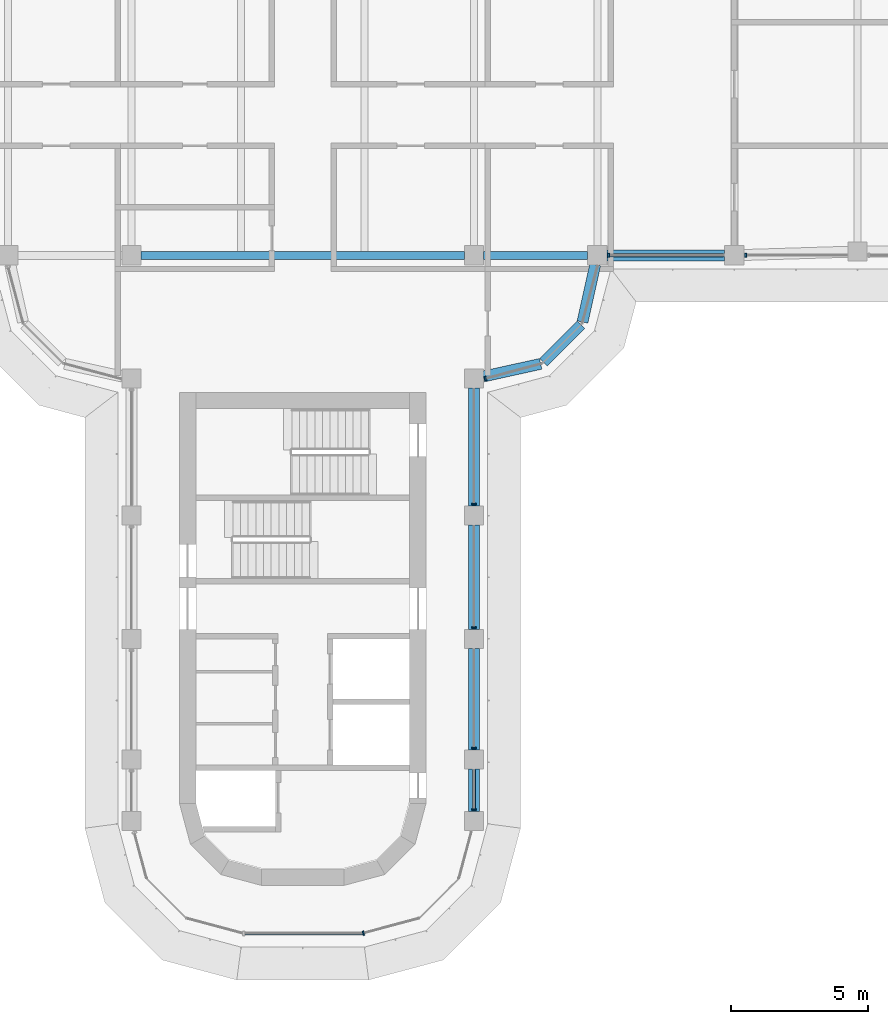
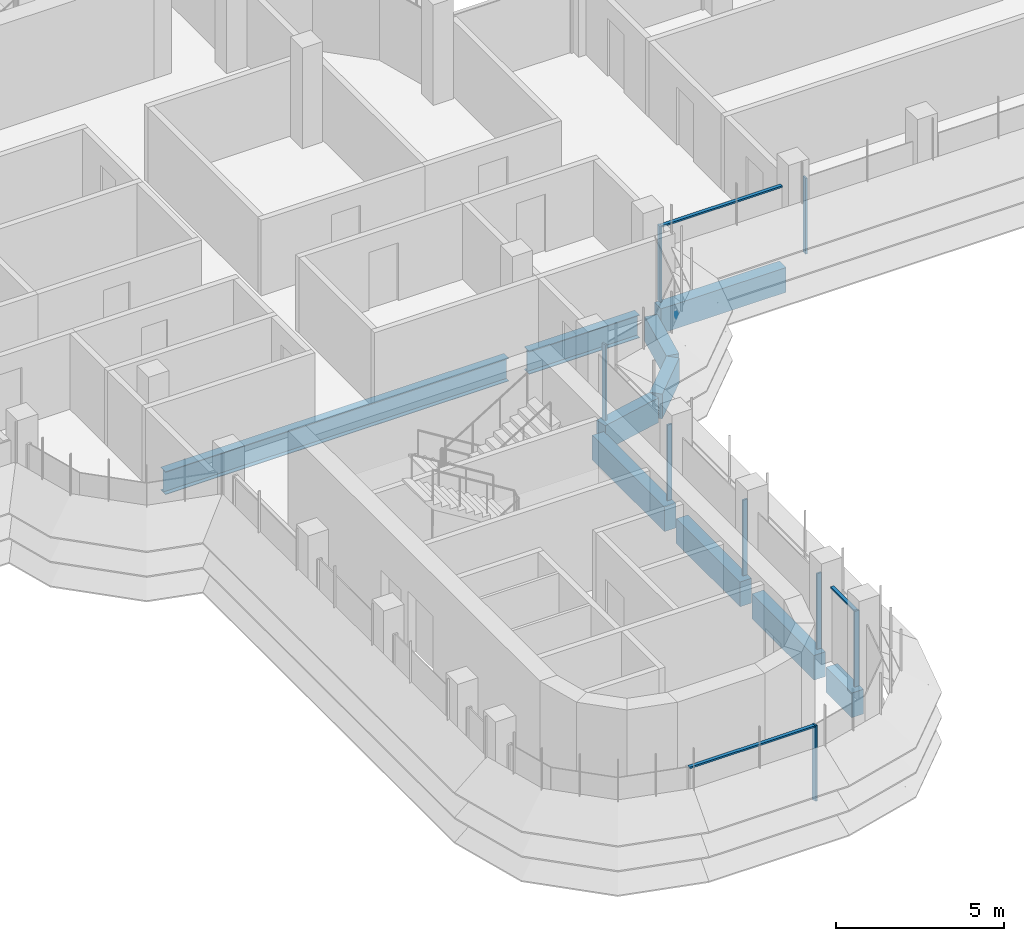
# One storey, part 4 of 19: 11 members, 10 beams, 5 elements without a shape of their own.
"""IFC4 building model written with IfcOpenShell, lengths in metres."""

from ifc_helpers import new_model, si_unit, direction, frame, origin, origin_2d, place, context, subcontext, project, spatial, polyline, rectangle, i_section, outline, extrude, source, transform, mapped, material, material_profile, profile_set, type_object, element, aggregate, save


model = new_model("IFC4")

# Units and contexts
model_context = context("Model", 3, precision=1e-05, world=origin(), true_north=direction((0.0, 1.0)))
body_context = subcontext(model_context, "Body", "Model", "MODEL_VIEW")
ifc_project = project(units=[si_unit("LENGTHUNIT", "METRE"), si_unit("AREAUNIT", "SQUARE_METRE"), si_unit("VOLUMEUNIT", "CUBIC_METRE"), si_unit("PLANEANGLEUNIT", "RADIAN"), si_unit("MASSUNIT", "GRAM", prefix="KILO")], contexts=[model_context])

# Site, building, storey
site_placement = place(None, origin())
site = spatial("IfcSite", under=ifc_project, at=site_placement, CompositionType="ELEMENT")
building_placement = place(site_placement, origin())
building = spatial("IfcBuilding", under=site, at=building_placement, Name="Zarbagh Exchange Tower", CompositionType="ELEMENT")
storey_placement = place(building_placement, frame((0.0, 0.0, 199.199951171875)))
storey = spatial("IfcBuildingStorey", under=building, at=storey_placement, Name="L48", CompositionType="ELEMENT", Elevation=199.199951171875)

# Beams
ifc_material_1 = material(Name="Steel ASTM A992 Gr 50", Category="steel")
ifc_material_profile_1 = material_profile(ifc_material_1, i_section(OverallWidth=0.2919921875, OverallDepth=0.835693359375, WebThickness=0.013916015625, FlangeThickness=0.018798828125, at=origin_2d()), Name="W33X118")
ifc_profile_set_1 = profile_set([ifc_material_profile_1], Name="Steel ASTM A992 Gr 50")
beam_type_1 = type_object("IfcBeamType", Name="Floor girder W33X118", PredefinedType="BEAM", material=ifc_profile_set_1)
beam_1_placement = place(storey_placement, frame((-5.89990234375, -6.25, -0.56787109375), z_axis=(1.0, 0.0, 0.0), x_axis=(0.0, 1.0, 0.0)))
element("IfcBeam", 1, at=beam_1_placement, inside=storey, type_object=beam_type_1, Name="Steel girder", PredefinedType="BEAM", context=body_context, shape_type="SweptSolid", body=[
    extrude(i_section(OverallWidth=0.2919921875, OverallDepth=0.835693359375, WebThickness=0.013916015625, FlangeThickness=0.018798828125, at=origin_2d()), origin(), (0.0, 0.0, 1.0), 11.7998046875),
])
beam_2_placement = place(storey_placement, frame((6.60009765625, -6.25, -0.56787109375), z_axis=(1.0, 0.0, 0.0), x_axis=(0.0, 1.0, 0.0)))
element("IfcBeam", 2, at=beam_2_placement, inside=storey, type_object=beam_type_1, Name="Steel girder", PredefinedType="BEAM", context=body_context, shape_type="SweptSolid", body=[
    extrude(i_section(OverallWidth=0.2919921875, OverallDepth=0.835693359375, WebThickness=0.013916015625, FlangeThickness=0.018798828125, at=origin_2d()), origin(), (0.0, 0.0, 1.0), 3.7998046875),
])
ifc_material_2 = material(Name="Concrete C50/60", Category="concrete")
ifc_material_profile_2 = material_profile(ifc_material_2, rectangle(XDim=0.39990234375, YDim=0.89990234375, at=origin_2d()), Name="RC spandrel beam 400 x 900 C50/60")
ifc_profile_set_2 = profile_set([ifc_material_profile_2], Name="Concrete C50/60")
beam_type_2 = type_object("IfcBeamType", Name="RC spandrel beam 400 x 900 C50/60", PredefinedType="SPANDREL", material=ifc_profile_set_2)
beam_3_placement = place(storey_placement, frame((15.39990234375, -6.25, -0.599853515625), z_axis=(-1.0, 0.0, 0.0), x_axis=(0.0, -1.0, 0.0)))
element("IfcBeam", 3, at=beam_3_placement, inside=storey, type_object=beam_type_2, Name="RC spandrel beam", PredefinedType="SPANDREL", context=body_context, shape_type="SweptSolid", body=[
    extrude(rectangle(XDim=0.39990234375, YDim=0.89990234375, at=origin_2d()), origin(), (0.0, 0.0, 1.0), 4.2998046875),
])
beam_4_placement = place(storey_placement, frame((10.67431640625, -6.591796875, -0.599853515625), z_axis=(-0.216013551096, -0.97639036545, 0.0), x_axis=(0.97639036545, -0.216013551096, 0.0)))
element("IfcBeam", 4, at=beam_4_placement, inside=storey, type_object=beam_type_2, Name="RC spandrel beam", PredefinedType="SPANDREL", context=body_context, shape_type="SweptSolid", body=[
    extrude(rectangle(XDim=0.39990234375, YDim=0.89990234375, at=origin_2d()), origin(), (0.0, 0.0, 1.0), 2.142822265625),
])
beam_5_placement = place(storey_placement, frame((10.15771484375, -8.782470703125, -0.599853515625), z_axis=(-0.707106781187, -0.707106781187, 0.0), x_axis=(0.707106781187, -0.707106781187, 0.0)))
element("IfcBeam", 5, at=beam_5_placement, inside=storey, type_object=beam_type_2, Name="RC spandrel beam", PredefinedType="SPANDREL", context=body_context, shape_type="SweptSolid", body=[
    extrude(rectangle(XDim=0.39990234375, YDim=0.89990234375, at=origin_2d()), origin(), (0.0, 0.0, 1.0), 1.94482421875),
])
beam_6_placement = place(storey_placement, frame((8.68408203125, -10.21142578125, -0.599853515625), z_axis=(-0.97639036545, -0.216013551096, 0.0), x_axis=(0.216013551096, -0.97639036545, 0.0)))
element("IfcBeam", 6, at=beam_6_placement, inside=storey, type_object=beam_type_2, Name="RC spandrel beam", PredefinedType="SPANDREL", context=body_context, shape_type="SweptSolid", body=[
    extrude(rectangle(XDim=0.39990234375, YDim=0.89990234375, at=origin_2d()), origin(), (0.0, 0.0, 1.0), 2.142822265625),
])
beam_7_placement = place(storey_placement, frame((6.25, -11.10009765625, -0.599853515625), z_axis=(0.0, -1.0, 0.0), x_axis=(1.0, 0.0, 0.0)))
element("IfcBeam", 7, at=beam_7_placement, inside=storey, type_object=beam_type_2, Name="RC spandrel beam", PredefinedType="SPANDREL", context=body_context, shape_type="SweptSolid", body=[
    extrude(rectangle(XDim=0.39990234375, YDim=0.89990234375, at=origin_2d()), origin(), (0.0, 0.0, 1.0), 4.2998046875),
])
beam_8_placement = place(storey_placement, frame((6.25, -16.10009765625, -0.599853515625), z_axis=(0.0, -1.0, 0.0), x_axis=(1.0, 0.0, 0.0)))
element("IfcBeam", 8, at=beam_8_placement, inside=storey, type_object=beam_type_2, Name="RC spandrel beam", PredefinedType="SPANDREL", context=body_context, shape_type="SweptSolid", body=[
    extrude(rectangle(XDim=0.39990234375, YDim=0.89990234375, at=origin_2d()), origin(), (0.0, 0.0, 1.0), 3.7998046875),
])
beam_9_placement = place(storey_placement, frame((6.25, -20.60009765625, -0.599853515625), z_axis=(0.0, -1.0, 0.0), x_axis=(1.0, 0.0, 0.0)))
element("IfcBeam", 9, at=beam_9_placement, inside=storey, type_object=beam_type_2, Name="RC spandrel beam", PredefinedType="SPANDREL", context=body_context, shape_type="SweptSolid", body=[
    extrude(rectangle(XDim=0.39990234375, YDim=0.89990234375, at=origin_2d()), origin(), (0.0, 0.0, 1.0), 3.699951171875),
])
beam_10_placement = place(storey_placement, frame((6.25, -25.0, -0.599853515625), z_axis=(0.0, -1.0, 0.0), x_axis=(1.0, 0.0, 0.0)))
element("IfcBeam", 10, at=beam_10_placement, inside=storey, type_object=beam_type_2, Name="RC spandrel beam", PredefinedType="SPANDREL", context=body_context, shape_type="SweptSolid", body=[
    extrude(rectangle(XDim=0.39990234375, YDim=0.89990234375, at=origin_2d()), origin(), (0.0, 0.0, 1.0), 1.550048828125),
])

# Curtain wall, member
ifc_material_3 = material(Name="Anodised aluminium frame and glazing", Category="aluminium")
curtain_wall_type = type_object("IfcCurtainWallType", Name="CWB Ribbon glazing, upper zones", PredefinedType="NOTDEFINED", material=ifc_material_3)
curtain_wall_1_placement = place(storey_placement, origin())
curtain_wall_1 = element("IfcCurtainWall", 11, at=curtain_wall_1_placement, inside=storey, type_object=curtain_wall_type, Name="CWB49 curtain wall", PredefinedType="NOTDEFINED")
ifc_material_4 = material(Name="Anodised aluminium frame", Category="aluminium")
member_type_1 = type_object("IfcMemberType", Name="MUB Mullion, anodised aluminium frame", PredefinedType="MULLION", material=ifc_material_4)
shared_shape_1 = source(origin(), body_context, "Body", "SweptSolid", [
    extrude(outline(polyline([(0.0, -0.080078125), (0.06005859375, -0.080078125), (0.06005859375, 0.080078125), (0.0, 0.080078125), (0.0, -0.080078125)])), origin(), (0.0, 0.0, 1.0), 2.75),
])
placement = place(storey_placement, origin())
member_1 = element("IfcMember", 12, at=placement, type_object=member_type_1, Name="CWB49 mullion 1.1", PredefinedType="MULLION", context=body_context, shape_type="MappedRepresentation", body=[
    mapped(shared_shape_1, transform((2.18408203125, -31.0, 0.0), x_axis=(0.965924289636, 0.258824779902, 0.0), y_axis=(-0.258824779902, 0.965924289636, 0.0), z_axis=(0.0, 0.0, 1.0))),
])
aggregate(curtain_wall_1, [member_1])

# Curtain wall, members
curtain_wall_2_placement = place(storey_placement, origin())
curtain_wall_2 = element("IfcCurtainWall", 13, at=curtain_wall_2_placement, inside=storey, type_object=curtain_wall_type, Name="CWB52 curtain wall", PredefinedType="NOTDEFINED")
member_2 = element("IfcMember", 14, at=placement, type_object=member_type_1, Name="CWB52 mullion 1.1", PredefinedType="MULLION", context=body_context, shape_type="MappedRepresentation", body=[
    mapped(shared_shape_1, transform((6.25, -26.510009765625, 0.0), x_axis=(0.0, 1.0, 0.0), y_axis=(-1.0, 0.0, 0.0), z_axis=(0.0, 0.0, 1.0))),
])
member_3 = element("IfcMember", 15, at=placement, type_object=member_type_1, Name="CWB52 mullion 2.1", PredefinedType="MULLION", context=body_context, shape_type="MappedRepresentation", body=[
    mapped(shared_shape_1, transform((6.25, -24.260009765625, 0.0), x_axis=(0.0, 1.0, 0.0), y_axis=(-1.0, 0.0, 0.0), z_axis=(0.0, 0.0, 1.0))),
])
member_4 = element("IfcMember", 16, at=placement, type_object=member_type_1, Name="CWB52 mullion 3.1", PredefinedType="MULLION", context=body_context, shape_type="MappedRepresentation", body=[
    mapped(shared_shape_1, transform((6.25, -19.85986328125, 0.0), x_axis=(0.0, 1.0, 0.0), y_axis=(-1.0, 0.0, 0.0), z_axis=(0.0, 0.0, 1.0))),
])
member_5 = element("IfcMember", 17, at=placement, type_object=member_type_1, Name="CWB52 mullion 4.1", PredefinedType="MULLION", context=body_context, shape_type="MappedRepresentation", body=[
    mapped(shared_shape_1, transform((6.25, -15.35986328125, 0.0), x_axis=(0.0, 1.0, 0.0), y_axis=(-1.0, 0.0, 0.0), z_axis=(0.0, 0.0, 1.0))),
])

# Curtain wall, member
curtain_wall_3_placement = place(storey_placement, origin())
curtain_wall_3 = element("IfcCurtainWall", 18, at=curtain_wall_3_placement, inside=storey, type_object=curtain_wall_type, Name="CWB05 curtain wall", PredefinedType="NOTDEFINED")
member_6 = element("IfcMember", 19, at=placement, type_object=member_type_1, Name="CWB05 mullion 1.1", PredefinedType="MULLION", context=body_context, shape_type="MappedRepresentation", body=[
    mapped(shared_shape_1, transform((6.64013671875, -10.76171875, 0.0), x_axis=(0.965924289636, 0.258824779902, 0.0), y_axis=(-0.258824779902, 0.965924289636, 0.0), z_axis=(0.0, 0.0, 1.0))),
])
aggregate(curtain_wall_3, [member_6])

# Curtain wall, members
curtain_wall_4_placement = place(storey_placement, origin())
curtain_wall_4 = element("IfcCurtainWall", 20, at=curtain_wall_4_placement, inside=storey, type_object=curtain_wall_type, Name="CWB08 curtain wall", PredefinedType="NOTDEFINED")
member_7 = element("IfcMember", 21, at=placement, type_object=member_type_1, Name="CWB08 mullion 1.1", PredefinedType="MULLION", context=body_context, shape_type="MappedRepresentation", body=[
    mapped(shared_shape_1, transform((11.14013671875, -6.25, 0.0), x_axis=(1.0, 0.0, 0.0), y_axis=(0.0, 1.0, 0.0), z_axis=(0.0, 0.0, 1.0))),
])
member_8 = element("IfcMember", 22, at=placement, type_object=member_type_1, Name="CWB08 mullion 2.1", PredefinedType="MULLION", context=body_context, shape_type="MappedRepresentation", body=[
    mapped(shared_shape_1, transform((16.14013671875, -6.25, 0.0), x_axis=(1.0, 0.0, 0.0), y_axis=(0.0, 1.0, 0.0), z_axis=(0.0, 0.0, 1.0))),
])

# Curtain wall, member
curtain_wall_5_placement = place(storey_placement, origin())
curtain_wall_5 = element("IfcCurtainWall", 23, at=curtain_wall_5_placement, inside=storey, type_object=curtain_wall_type, Name="CWB57 curtain wall", PredefinedType="NOTDEFINED")
member_type_2 = type_object("IfcMemberType", Name="TRB Transom, anodised aluminium frame", PredefinedType="USERDEFINED", material=ifc_material_4)
shared_shape_2 = source(origin(), body_context, "Body", "SweptSolid", [
    extrude(outline(polyline([(-0.06005859375, -0.06005859375), (0.0, -0.06005859375), (0.0, 0.06005859375), (-0.06005859375, 0.06005859375), (-0.06005859375, -0.06005859375)])), origin(), (0.0, 0.0, 1.0), 4.308349609375),
])
member_9 = element("IfcMember", 24, at=placement, type_object=member_type_2, Name="CWB57 transom 1.1", ObjectType="TRANSOM", PredefinedType="USERDEFINED", context=body_context, shape_type="MappedRepresentation", body=[
    mapped(shared_shape_2, transform((-2.124267578125, -31.0, 2.75), x_axis=(0.0, 0.0, 1.0), y_axis=(0.0, -1.0, 0.0), z_axis=(1.0, 0.0, 0.0))),
])
aggregate(curtain_wall_5, [member_9])

# Member
shared_shape_3 = source(origin(), body_context, "Body", "SweptSolid", [
    extrude(outline(polyline([(-0.06005859375, -0.06005859375), (0.0, -0.06005859375), (0.0, 0.06005859375), (-0.06005859375, 0.06005859375), (-0.06005859375, -0.06005859375)])), origin(), (0.0, 0.0, 1.0), 1.409912109375),
])
member_10 = element("IfcMember", 25, at=placement, type_object=member_type_2, Name="CWB52 transom 1.1", ObjectType="TRANSOM", PredefinedType="USERDEFINED", context=body_context, shape_type="MappedRepresentation", body=[
    mapped(shared_shape_3, transform((6.25, -26.449951171875, 2.75), x_axis=(0.0, 0.0, 1.0), y_axis=(1.0, 0.0, 0.0), z_axis=(0.0, 1.0, 0.0))),
])

aggregate(curtain_wall_2, [member_2, member_10, member_3, member_4, member_5])

shared_shape_4 = source(origin(), body_context, "Body", "SweptSolid", [
    extrude(outline(polyline([(-0.06005859375, -0.06005859375), (0.0, -0.06005859375), (0.0, 0.06005859375), (-0.06005859375, 0.06005859375), (-0.06005859375, -0.06005859375)])), origin(), (0.0, 0.0, 1.0), 4.159912109375),
])
member_11 = element("IfcMember", 26, at=placement, type_object=member_type_2, Name="CWB08 transom 1.1", ObjectType="TRANSOM", PredefinedType="USERDEFINED", context=body_context, shape_type="MappedRepresentation", body=[
    mapped(shared_shape_4, transform((11.199951171875, -6.25, 2.75), x_axis=(0.0, 0.0, 1.0), y_axis=(0.0, -1.0, 0.0), z_axis=(1.0, 0.0, 0.0))),
])

aggregate(curtain_wall_4, [member_7, member_11, member_8])

save(model, "model.ifc")
